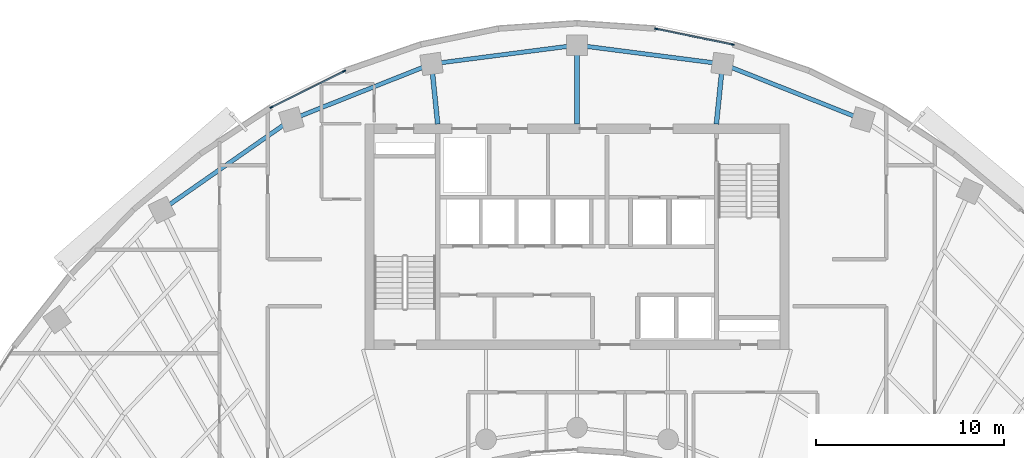
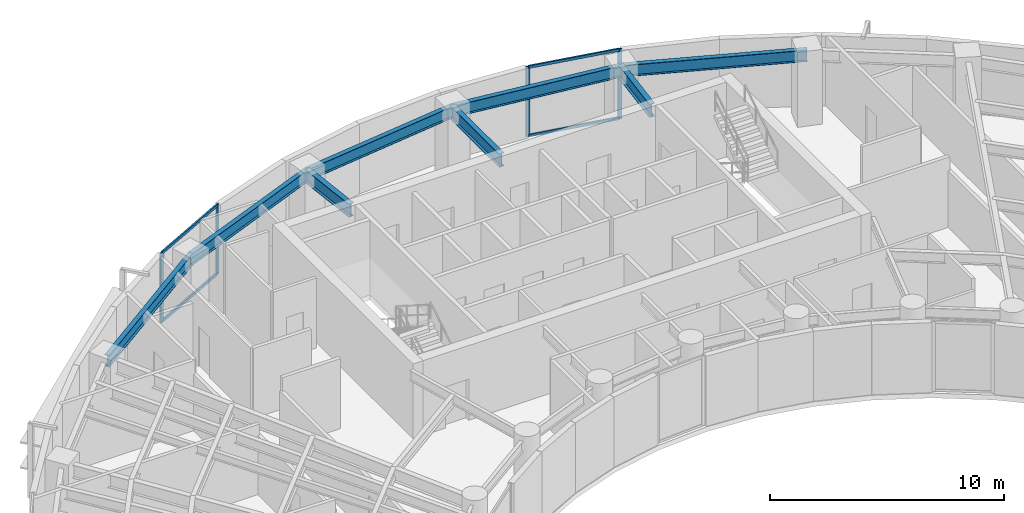
# One storey, part 5 of 13: 8 beams, 8 members, 2 elements without a shape of their own.
"""IFC4 building model written with IfcOpenShell, lengths in metres."""

import ifcopenshell
import ifcopenshell.guid

model = None  # the IFC model being written
_history = None  # IfcOwnerHistory: only IFC2X3 demands one
_inside = {}  # id of a spatial element -> (the spatial element, [elements in it])
_under = {}  # id of a project, library or spatial element -> (it, [spatial elements below it])
_declared = {}  # id of a project -> (the project, [libraries it declares])
_typed = {}  # id of a type object -> (the type object, [elements of that type])
_made_of = {}  # id of a material, layer set ... -> (it, [elements and type objects made of it])


def new_model(schema):
    """Start an empty IFC model of exactly this schema.

    Asked for "IFC4X3", IfcOpenShell would pick the latest addendum, in which some entities
    have other attributes; the version numbers below select the first issue.
    IFC2X3 requires an IfcOwnerHistory on every rooted entity: one is made here for all.
    """
    global model, _history
    if schema == "IFC4X3":
        model = ifcopenshell.file(schema_version=(4, 3, 0, 0))
    else:
        model = ifcopenshell.file(schema=schema)
    _inside.clear()
    _under.clear()
    _declared.clear()
    _typed.clear()
    _made_of.clear()
    _history = None
    if model.schema == "IFC2X3":
        org = make("IfcOrganization", Name="unknown")
        user = make(
            "IfcPersonAndOrganization",
            ThePerson=make("IfcPerson", FamilyName="unknown"),
            TheOrganization=org,
        )
        app = make(
            "IfcApplication",
            ApplicationDeveloper=org,
            Version="unknown",
            ApplicationFullName="unknown",
            ApplicationIdentifier="unknown",
        )
        _history = make(
            "IfcOwnerHistory",
            OwningUser=user,
            OwningApplication=app,
            ChangeAction="ADDED",
            CreationDate=0,
        )
    return model


def make(cls, **values):
    """One entity of the class cls with the attributes given. An attribute that is None is left unset."""
    return model.create_entity(
        cls, **{name: value for name, value in values.items() if value is not None}
    )


def rooted(cls, **values):
    """An entity with a GlobalId (a new one), such as an element, a storey or a relation."""
    return make(cls, GlobalId=ifcopenshell.guid.new(), OwnerHistory=_history, **values)


def si_unit(unit_type, name, prefix=None):
    """IfcSIUnit, for example si_unit("LENGTHUNIT", "METRE", prefix="MILLI")."""
    return make("IfcSIUnit", UnitType=unit_type, Prefix=prefix, Name=name)


def assignment(units):
    """IfcUnitAssignment: the units of a project."""
    return None if units is None else make("IfcUnitAssignment", Units=units)


def point(xyz):
    """IfcCartesianPoint."""
    return None if xyz is None else make("IfcCartesianPoint", Coordinates=xyz)


def direction(xyz):
    """IfcDirection."""
    return None if xyz is None else make("IfcDirection", DirectionRatios=xyz)


def frame(location, z_axis=None, x_axis=None):
    """IfcAxis2Placement3D, a coordinate frame: its origin and axes. An axis left out is left unset."""
    return make(
        "IfcAxis2Placement3D",
        Location=point(location),
        Axis=direction(z_axis),
        RefDirection=direction(x_axis),
    )


def frame_2d(location, x_axis=None):
    """IfcAxis2Placement2D, a coordinate frame in the plane: its origin and x axis."""
    return make(
        "IfcAxis2Placement2D", Location=point(location), RefDirection=direction(x_axis)
    )


def origin():
    """The frame at (0, 0, 0) with its axes left unset."""
    return frame((0.0, 0.0, 0.0))


def origin_2d():
    """The frame at (0, 0) in the plane with its x axis left unset."""
    return frame_2d((0.0, 0.0))


def place(relative_to, where):
    """IfcLocalPlacement: puts the frame where relative to a parent placement (None: the world)."""
    return make(
        "IfcLocalPlacement", PlacementRelTo=relative_to, RelativePlacement=where
    )


def context(
    kind, dimensions, precision=None, world=None, true_north=None, identifier=None
):
    """IfcGeometricRepresentationContext, for example the 3D "Model" context."""
    return make(
        "IfcGeometricRepresentationContext",
        ContextIdentifier=identifier,
        ContextType=kind,
        CoordinateSpaceDimension=dimensions,
        Precision=precision,
        WorldCoordinateSystem=world,
        TrueNorth=true_north,
    )


def subcontext(parent, identifier, kind, view, scale=None):
    """IfcGeometricRepresentationSubContext, for example "Body" below "Model"."""
    return make(
        "IfcGeometricRepresentationSubContext",
        ContextIdentifier=identifier,
        ContextType=kind,
        ParentContext=parent,
        TargetScale=scale,
        TargetView=view,
    )


def project(units=None, contexts=None):
    """IfcProject with its units and contexts."""
    return rooted(
        "IfcProject",
        Name="project",
        RepresentationContexts=contexts,
        UnitsInContext=assignment(units),
    )


def spatial(cls, under=None, at=None, **own):
    """A site, building, storey or space (cls), placed at a placement, below another one or the project."""
    s = rooted(cls, ObjectPlacement=at, **own)
    if under is not None:
        _under.setdefault(under.id(), (under, []))[1].append(s)
    return s


def profile(cls, at=None, kind="AREA", **sizes):
    """A parametric profile (cls). Its sizes go by their IFC names, for example OverallWidth=200.0."""
    return make(cls, ProfileType=kind, Position=at, **sizes)


def rectangle(**sizes):
    """IfcRectangleProfileDef."""
    return profile("IfcRectangleProfileDef", **sizes)


def i_section(**sizes):
    """IfcIShapeProfileDef."""
    return profile("IfcIShapeProfileDef", **sizes)


def extrude(swept, where, along, depth):
    """IfcExtrudedAreaSolid: the profile swept, set in the frame where, extruded along a direction by depth."""
    return make(
        "IfcExtrudedAreaSolid",
        SweptArea=swept,
        Position=where,
        ExtrudedDirection=direction(along),
        Depth=depth,
    )


def shape(context_of_items, identifier, shape_type, items):
    """IfcShapeRepresentation: the items that make up one representation, for example the "Body"."""
    return make(
        "IfcShapeRepresentation",
        ContextOfItems=context_of_items,
        RepresentationIdentifier=identifier,
        RepresentationType=shape_type,
        Items=items,
    )


def source(mapping_origin, context_of_items, identifier, shape_type, items):
    """IfcRepresentationMap: a shape defined once, which mapped items show again and again."""
    return make(
        "IfcRepresentationMap",
        MappingOrigin=mapping_origin,
        MappedRepresentation=shape(context_of_items, identifier, shape_type, items),
    )


def transform(
    local_origin,
    x_axis=None,
    y_axis=None,
    z_axis=None,
    scale=None,
    scale2=None,
    scale3=None,
    uniform=True,
):
    """IfcCartesianTransformationOperator3D, or its non-uniform kind. x_axis, y_axis, z_axis: its Axis1, 2, 3."""
    if uniform:
        return make(
            "IfcCartesianTransformationOperator3D",
            Axis1=direction(x_axis),
            Axis2=direction(y_axis),
            LocalOrigin=point(local_origin),
            Scale=scale,
            Axis3=direction(z_axis),
        )
    return make(
        "IfcCartesianTransformationOperator3DnonUniform",
        Axis1=direction(x_axis),
        Axis2=direction(y_axis),
        LocalOrigin=point(local_origin),
        Scale=scale,
        Axis3=direction(z_axis),
        Scale2=scale2,
        Scale3=scale3,
    )


def mapped(mapping_source, mapping_target):
    """IfcMappedItem: shows the shape of a source again, moved by a transform."""
    return make(
        "IfcMappedItem", MappingSource=mapping_source, MappingTarget=mapping_target
    )


def material(Name=None, Category=None):
    """IfcMaterial."""
    return make("IfcMaterial", Name=Name, Category=Category)


def layer(
    of_material, thickness, ventilated=None, Name=None, Category=None, Priority=None
):
    """IfcMaterialLayer: one layer of a wall or slab, of a material (None: an air gap)."""
    return make(
        "IfcMaterialLayer",
        Material=of_material,
        LayerThickness=thickness,
        IsVentilated=ventilated,
        Name=Name,
        Category=Category,
        Priority=Priority,
    )


def layer_set(layers, Name=None):
    """IfcMaterialLayerSet."""
    return make("IfcMaterialLayerSet", MaterialLayers=layers, LayerSetName=Name)


def material_profile(
    of_material, cross_section, Name=None, Category=None, Priority=None
):
    """IfcMaterialProfile: a cross section and its material."""
    return make(
        "IfcMaterialProfile",
        Name=Name,
        Material=of_material,
        Profile=cross_section,
        Priority=Priority,
        Category=Category,
    )


def profile_set(profiles, Name=None, composite=None):
    """IfcMaterialProfileSet."""
    return make(
        "IfcMaterialProfileSet",
        Name=Name,
        MaterialProfiles=profiles,
        CompositeProfile=composite,
    )


def made_of(thing, what):
    """Note that an element or type object is made of a material, layer set ...; save() writes the relation."""
    if what is not None:
        _made_of.setdefault(what.id(), (what, []))[1].append(thing)
    return thing


def type_object(cls, material=None, **own):
    """A type object (cls), such as IfcWallType, which elements share."""
    return made_of(rooted(cls, **own), material)


def element(
    cls,
    number,
    at=None,
    inside=None,
    cuts=None,
    type_object=None,
    material=None,
    context=None,
    identifier="Body",
    shape_type=None,
    held_by="IfcProductDefinitionShape",
    body=None,
    shapes=None,
    **own,
):
    """One element of the class cls, such as IfcWall. Its Tag is "e" and its number.

    at: its placement. inside: the storey or other place that contains it. cuts: it is an
    opening in that element (IfcRelVoidsElement). A single representation is given by context,
    identifier, shape_type and body (its items); several are given by shapes. held_by: the class
    of the entity that holds the representations. save() writes the other relations.
    """
    e = rooted(cls, Tag="e%d" % number, ObjectPlacement=at, **own)
    if body is not None:
        shapes = [shape(context, identifier, shape_type, body)]
    if shapes is not None:
        e.Representation = make(held_by, Representations=shapes)
    if inside is not None:
        _inside.setdefault(inside.id(), (inside, []))[1].append(e)
    if cuts is not None:
        rooted(
            "IfcRelVoidsElement", RelatingBuildingElement=cuts, RelatedOpeningElement=e
        )
    if type_object is not None:
        _typed.setdefault(type_object.id(), (type_object, []))[1].append(e)
    return made_of(e, material)


def aggregate(whole, parts):
    """IfcRelAggregates: a whole, such as a stair, and the parts it consists of."""
    return rooted("IfcRelAggregates", RelatingObject=whole, RelatedObjects=parts)


def save(model, path):
    """Write the relations noted so far, then the file.

    IfcRelAggregates (storeys below a building ...), IfcRelContainedInSpatialStructure (elements
    in a storey), IfcRelDefinesByType, IfcRelAssociatesMaterial and IfcRelDeclares: one each for
    every whole, place, type object, material and project.
    """
    for whole, parts in _under.values():
        aggregate(whole, parts)
    for where, things in _inside.values():
        rooted(
            "IfcRelContainedInSpatialStructure",
            RelatedElements=things,
            RelatingStructure=where,
        )
    for kind, things in _typed.values():
        rooted("IfcRelDefinesByType", RelatedObjects=things, RelatingType=kind)
    for what, things in _made_of.values():
        rooted("IfcRelAssociatesMaterial", RelatedObjects=things, RelatingMaterial=what)
    for by, libraries in _declared.values():
        rooted("IfcRelDeclares", RelatingContext=by, RelatedDefinitions=libraries)
    model.write(path)


model = new_model("IFC4")

# Units and contexts
model_context = context("Model", 3, precision=1e-05, world=origin(), true_north=direction((0.0, 1.0)))
body_context = subcontext(model_context, "Body", "Model", "MODEL_VIEW")
ifc_project = project(units=[si_unit("LENGTHUNIT", "METRE"), si_unit("AREAUNIT", "SQUARE_METRE"), si_unit("VOLUMEUNIT", "CUBIC_METRE"), si_unit("PLANEANGLEUNIT", "RADIAN"), si_unit("MASSUNIT", "GRAM", prefix="KILO")], contexts=[model_context])

# Site, building, storey
site_placement = place(None, origin())
site = spatial("IfcSite", under=ifc_project, at=site_placement, CompositionType="ELEMENT")
building_placement = place(site_placement, origin())
building = spatial("IfcBuilding", under=site, at=building_placement, Name="Breltana Convention Tower", CompositionType="ELEMENT")
storey_placement = place(building_placement, frame((0.0, 0.0, 170.10009765625)))
storey = spatial("IfcBuildingStorey", under=building, at=storey_placement, Name="L41", CompositionType="ELEMENT", Elevation=170.10009765625)

# Beams
ifc_material_1 = material(Name="Steel ASTM A992 Grade 50", Category="steel")
ifc_material_profile_1 = material_profile(ifc_material_1, i_section(OverallWidth=0.25390625, OverallDepth=0.68798828125, WebThickness=0.01318359375, FlangeThickness=0.02099609375, at=origin_2d()), Name="W27X102")
ifc_profile_set_1 = profile_set([ifc_material_profile_1], Name="Steel ASTM A992 Grade 50")
beam_type_1 = type_object("IfcBeamType", Name="BM-RG-W27X102", PredefinedType="USERDEFINED", material=ifc_profile_set_1)
shared_shape_1 = source(origin(), body_context, "Body", "SweptSolid", [
    extrude(i_section(OverallWidth=0.25390625, OverallDepth=0.68798828125, WebThickness=0.01318359375, FlangeThickness=0.02099609375, at=origin_2d()), origin(), (0.0, 0.0, 1.0), 3.220947265625),
])
for number, where, z_axis, x_axis, name in (
    (1, (40.580078125, 72.199951171875, 3.305908203125), (-0.101492254858, 0.994836329355, 0.0), (-0.994836329355, -0.101492254858, 0.0), "L41 North Core Radial Girder R05"),
    (2, (55.419921875, 72.199951171875, 3.305908203125), (0.101492254858, 0.994836329355, 0.0), (-0.994836329355, 0.101492254858, 0.0), "L41 North Core Radial Girder R07"),
):
    element("IfcBeam", number, at=place(storey_placement, frame(where, z_axis=z_axis, x_axis=x_axis)), inside=storey, type_object=beam_type_1, Name=name, ObjectType="GIRDER", PredefinedType="USERDEFINED", context=body_context, shape_type="MappedRepresentation", body=[
        mapped(shared_shape_1, transform((0.0, 0.0, 0.0), scale=1.0)),
    ])
shared_shape_2 = source(origin(), body_context, "Body", "SweptSolid", [
    extrude(i_section(OverallWidth=0.25390625, OverallDepth=0.68798828125, WebThickness=0.01318359375, FlangeThickness=0.02099609375, at=origin_2d()), origin(), (0.0, 0.0, 1.0), 4.2041015625),
])
beam_1_placement = place(storey_placement, frame((48.0, 72.199951171875, 3.305908203125), z_axis=(0.0, 1.0, 0.0), x_axis=(-1.0, 0.0, 0.0)))
element("IfcBeam", 3, at=beam_1_placement, inside=storey, type_object=beam_type_1, Name="L41 North Core Radial Girder R06", ObjectType="GIRDER", PredefinedType="USERDEFINED", context=body_context, shape_type="MappedRepresentation", body=[
    mapped(shared_shape_2, transform((0.0, 0.0, 0.0), scale=1.0)),
])
ifc_material_profile_2 = material_profile(ifc_material_1, i_section(OverallWidth=0.22802734375, OverallDepth=0.60791015625, WebThickness=0.01123046875, FlangeThickness=0.017333984375, at=origin_2d()), Name="W24X76")
ifc_profile_set_2 = profile_set([ifc_material_profile_2], Name="Steel ASTM A992 Grade 50")
beam_type_2 = type_object("IfcBeamType", Name="BM-SP-W24X76", PredefinedType="SPANDREL", material=ifc_profile_set_2)
shared_shape_3 = source(origin(), body_context, "Body", "SweptSolid", [
    extrude(i_section(OverallWidth=0.22802734375, OverallDepth=0.60791015625, WebThickness=0.01123046875, FlangeThickness=0.017333984375, at=origin_2d()), origin(), (0.0, 0.0, 1.0), 8.4169921875),
])
beam_2_placement = place(storey_placement, frame((25.8876953125, 67.626953125, 3.345947265625), z_axis=(0.820173800102, 0.572114444519, 0.0), x_axis=(-0.572114444519, 0.820173800102, 0.0)))
element("IfcBeam", 4, at=beam_2_placement, inside=storey, type_object=beam_type_2, Name="L41 Outer Spandrel Beam 03", PredefinedType="SPANDREL", context=body_context, shape_type="MappedRepresentation", body=[
    mapped(shared_shape_3, transform((0.0, 0.0, 0.0), scale=1.0)),
])
shared_shape_4 = source(origin(), body_context, "Body", "SweptSolid", [
    extrude(i_section(OverallWidth=0.22802734375, OverallDepth=0.60791015625, WebThickness=0.01123046875, FlangeThickness=0.017333984375, at=origin_2d()), origin(), (0.0, 0.0, 1.0), 8.028564453125),
])
for number, where, z_axis, x_axis, name in (
    (5, (32.791015625, 72.4423828125, 3.345947265625), (0.929459100394, 0.368925169507, 0.0), (-0.368925169507, 0.929459100394, 0.0), "L41 Outer Spandrel Beam 04"),
    (6, (55.746826171875, 75.404296875, 3.345947265625), (0.929459100394, -0.368925169507, 0.0), (0.368925169507, 0.929459100394, 0.0), "L41 Outer Spandrel Beam 07"),
):
    element("IfcBeam", number, at=place(storey_placement, frame(where, z_axis=z_axis, x_axis=x_axis)), inside=storey, type_object=beam_type_2, Name=name, PredefinedType="SPANDREL", context=body_context, shape_type="MappedRepresentation", body=[
        mapped(shared_shape_4, transform((0.0, 0.0, 0.0), scale=1.0)),
    ])
shared_shape_5 = source(origin(), body_context, "Body", "SweptSolid", [
    extrude(i_section(OverallWidth=0.22802734375, OverallDepth=0.60791015625, WebThickness=0.01123046875, FlangeThickness=0.017333984375, at=origin_2d()), origin(), (0.0, 0.0, 1.0), 7.81103515625),
])
for number, where, z_axis, x_axis, name in (
    (7, (40.253173828125, 75.404296875, 3.345947265625), (0.991775179127, 0.127992164083, 0.0), (-0.127992164083, 0.991775179127, 0.0), "L41 Outer Spandrel Beam 05"),
    (8, (48.0, 76.404052734375, 3.345947265625), (0.991775179127, -0.127992164083, 0.0), (0.127992164083, 0.991775179127, 0.0), "L41 Outer Spandrel Beam 06"),
):
    element("IfcBeam", number, at=place(storey_placement, frame(where, z_axis=z_axis, x_axis=x_axis)), inside=storey, type_object=beam_type_2, Name=name, PredefinedType="SPANDREL", context=body_context, shape_type="MappedRepresentation", body=[
        mapped(shared_shape_5, transform((0.0, 0.0, 0.0), scale=1.0)),
    ])

# Curtain wall, members
ifc_material_2 = material(Name="Aluminium Anodised Bronze Frame", Category="aluminium")
ifc_layer = layer(ifc_material_2, 0.2099609375, Name="Aluminium Anodised Bronze Frame")
ifc_layer_set = layer_set([ifc_layer], Name="Aluminium Anodised Bronze Frame")
curtain_wall_type = type_object("IfcCurtainWallType", Name="CW-SYS-3", PredefinedType="NOTDEFINED", material=ifc_layer_set)
curtain_wall_1_placement = place(storey_placement, origin())
curtain_wall_1 = element("IfcCurtainWall", 9, at=curtain_wall_1_placement, inside=storey, type_object=curtain_wall_type, Name="L41 outer double-skin inner glazing 2", PredefinedType="NOTDEFINED")
ifc_material_3 = material(Name="Aluminium Anodised Bronze", Category="aluminium")
ifc_material_profile_3 = material_profile(ifc_material_3, rectangle(XDim=0.070068359375, YDim=0.175048828125, at=origin_2d()), Name="CWM-70X175")
ifc_profile_set_3 = profile_set([ifc_material_profile_3], Name="Aluminium Anodised Bronze")
member_type_1 = type_object("IfcMemberType", Name="CWM-175", PredefinedType="MULLION", material=ifc_profile_set_3)
shared_shape_6 = source(origin(), body_context, "Body", "SweptSolid", [
    extrude(rectangle(XDim=0.070068359375, YDim=0.175048828125, at=origin_2d()), origin(), (0.0, 0.0, 1.0), 3.64990234375),
])
member_1_placement = place(storey_placement, frame((31.733154296875, 73.095458984375, 0.0), z_axis=(0.0, 0.0, 1.0), x_axis=(-0.444117835682, 0.895968385619, 0.0)))
member_1 = element("IfcMember", 10, at=member_1_placement, type_object=member_type_1, Name="CW-03 mullion 1", PredefinedType="MULLION", context=body_context, shape_type="MappedRepresentation", body=[
    mapped(shared_shape_6, transform((0.0, 0.0, 0.0), scale=1.0)),
])
member_2_placement = place(storey_placement, frame((35.59814453125, 75.011474609375, 0.0), z_axis=(0.0, 0.0, 1.0), x_axis=(-0.444117835682, 0.895968385619, 0.0)))
member_2 = element("IfcMember", 11, at=member_2_placement, type_object=member_type_1, Name="CW-03 mullion 2", PredefinedType="MULLION", context=body_context, shape_type="MappedRepresentation", body=[
    mapped(shared_shape_6, transform((0.0, 0.0, 0.0), scale=1.0)),
])

curtain_wall_2_placement = place(storey_placement, origin())
curtain_wall_2 = element("IfcCurtainWall", 12, at=curtain_wall_2_placement, inside=storey, type_object=curtain_wall_type, Name="L41 outer double-skin inner glazing 3", PredefinedType="NOTDEFINED")
member_3_placement = place(storey_placement, frame((52.2138671875, 77.272705078125, 0.0), z_axis=(0.0, 0.0, 1.0), x_axis=(0.200876562668, 0.979616560993, 0.0)))
member_3 = element("IfcMember", 13, at=member_3_placement, type_object=member_type_1, Name="CW-03 mullion 1", PredefinedType="MULLION", context=body_context, shape_type="MappedRepresentation", body=[
    mapped(shared_shape_6, transform((0.0, 0.0, 0.0), scale=1.0)),
])
member_4_placement = place(storey_placement, frame((56.28271484375, 76.4384765625, 0.0), z_axis=(0.0, 0.0, 1.0), x_axis=(0.200876562668, 0.979616560993, 0.0)))
member_4 = element("IfcMember", 14, at=member_4_placement, type_object=member_type_1, Name="CW-03 mullion 2", PredefinedType="MULLION", context=body_context, shape_type="MappedRepresentation", body=[
    mapped(shared_shape_6, transform((0.0, 0.0, 0.0), scale=1.0)),
])

# Member
ifc_material_profile_4 = material_profile(ifc_material_3, rectangle(XDim=0.080078125, YDim=0.139892578125, at=origin_2d()), Name="CWT-80X140")
ifc_profile_set_4 = profile_set([ifc_material_profile_4], Name="Aluminium Anodised Bronze")
member_type_2 = type_object("IfcMemberType", Name="CWT-140", PredefinedType="USERDEFINED", material=ifc_profile_set_4)
shared_shape_7 = source(origin(), body_context, "Body", "SweptSolid", [
    extrude(rectangle(XDim=0.080078125, YDim=0.139892578125, at=origin_2d()), origin(), (0.0, 0.0, 1.0), 4.243896484375),
])
member_5_placement = place(storey_placement, frame((31.764404296875, 73.111083984375, 0.039794921875), z_axis=(0.895975011629, 0.444104468043, 0.0), x_axis=(-0.444104468043, 0.895975011629, 0.0)))
member_5 = element("IfcMember", 15, at=member_5_placement, type_object=member_type_2, Name="CW-03 transom 1.1", ObjectType="TRANSOM", PredefinedType="USERDEFINED", context=body_context, shape_type="MappedRepresentation", body=[
    mapped(shared_shape_7, transform((0.0, 0.0, 0.0), scale=1.0)),
])

member_6_placement = place(storey_placement, frame((31.764404296875, 73.111083984375, 3.60986328125), z_axis=(0.895975011629, 0.444104468043, 0.0), x_axis=(-0.444104468043, 0.895975011629, 0.0)))
member_6 = element("IfcMember", 16, at=member_6_placement, type_object=member_type_2, Name="CW-03 transom 1.2", ObjectType="TRANSOM", PredefinedType="USERDEFINED", context=body_context, shape_type="MappedRepresentation", body=[
    mapped(shared_shape_7, transform((0.0, 0.0, 0.0), scale=1.0)),
])

aggregate(curtain_wall_1, [member_1, member_2, member_5, member_6])

shared_shape_8 = source(origin(), body_context, "Body", "SweptSolid", [
    extrude(rectangle(XDim=0.080078125, YDim=0.139892578125, at=origin_2d()), origin(), (0.0, 0.0, 1.0), 4.08349609375),
])
member_7_placement = place(storey_placement, frame((52.248291015625, 77.265625, 0.039794921875), z_axis=(0.979626533509, -0.20082792347, 0.0), x_axis=(0.20082792347, 0.979626533509, 0.0)))
member_7 = element("IfcMember", 17, at=member_7_placement, type_object=member_type_2, Name="CW-03 transom 1.1", ObjectType="TRANSOM", PredefinedType="USERDEFINED", context=body_context, shape_type="MappedRepresentation", body=[
    mapped(shared_shape_8, transform((0.0, 0.0, 0.0), scale=1.0)),
])

member_8_placement = place(storey_placement, frame((52.248291015625, 77.265625, 3.60986328125), z_axis=(0.979626533509, -0.20082792347, 0.0), x_axis=(0.20082792347, 0.979626533509, 0.0)))
member_8 = element("IfcMember", 18, at=member_8_placement, type_object=member_type_2, Name="CW-03 transom 1.2", ObjectType="TRANSOM", PredefinedType="USERDEFINED", context=body_context, shape_type="MappedRepresentation", body=[
    mapped(shared_shape_8, transform((0.0, 0.0, 0.0), scale=1.0)),
])

aggregate(curtain_wall_2, [member_3, member_4, member_7, member_8])

save(model, "model.ifc")
